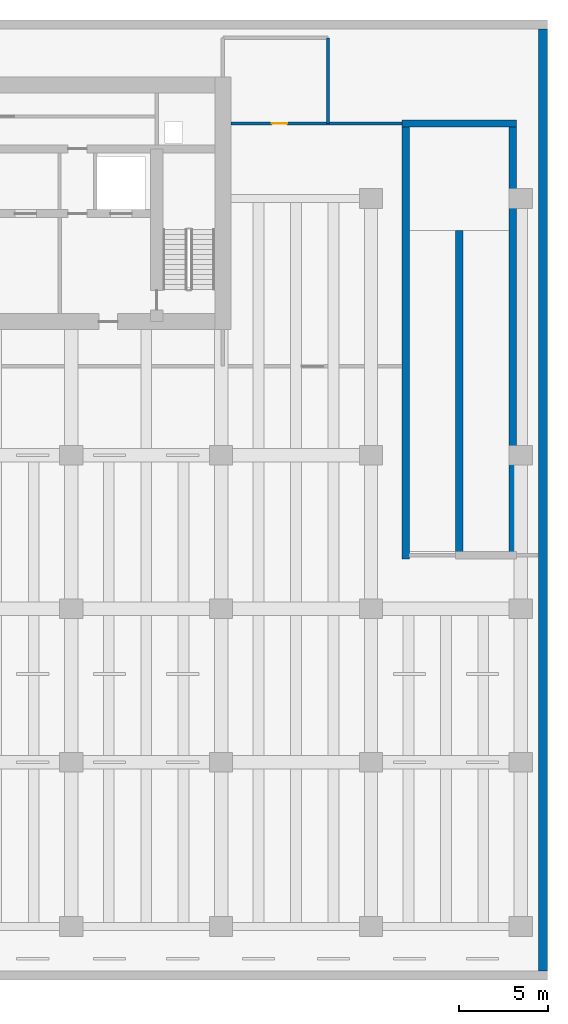
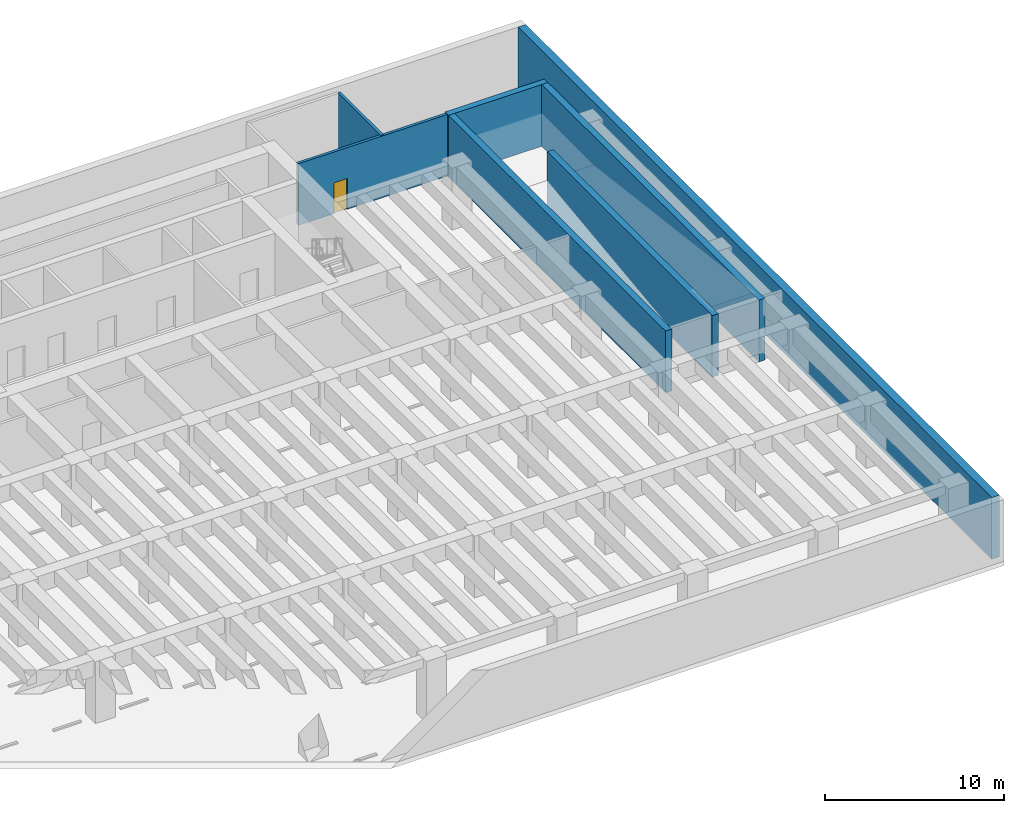
# One storey, part 5 of 8: 7 walls, 1 door, 1 opening.
"""IFC4 building model written with IfcOpenShell, lengths in metres."""

from ifc_helpers import new_model, si_unit, direction, frame, frame_2d, origin, place, context, subcontext, project, spatial, rectangle, extrude, material, layer, layer_set, type_object, element, fill, save


model = new_model("IFC4")

# Units and contexts
model_context = context("Model", 3, precision=1e-05, world=origin(), true_north=direction((0.0, 1.0)))
body_context = subcontext(model_context, "Body", "Model", "MODEL_VIEW")
ifc_project = project(units=[si_unit("LENGTHUNIT", "METRE"), si_unit("AREAUNIT", "SQUARE_METRE"), si_unit("VOLUMEUNIT", "CUBIC_METRE"), si_unit("PLANEANGLEUNIT", "RADIAN"), si_unit("MASSUNIT", "GRAM", prefix="KILO")], contexts=[model_context])

# Site, building, storey
site_placement = place(None, origin())
site = spatial("IfcSite", under=ifc_project, at=site_placement, CompositionType="ELEMENT")
building_placement = place(site_placement, origin())
building = spatial("IfcBuilding", under=site, at=building_placement, Name="Caelmar Bay Residences", CompositionType="ELEMENT")
storey_placement = place(building_placement, frame((0.0, 0.0, -4.5)))
storey = spatial("IfcBuildingStorey", under=building, at=storey_placement, Name="B01", CompositionType="ELEMENT", Elevation=-4.5)

# Walls
ifc_material_1 = material(Name="Concrete f'c 40 MPa (6,000 psi)", Category="concrete")
ifc_layer_1 = layer(ifc_material_1, 0.5)
ifc_layer_set_1 = layer_set([ifc_layer_1], Name="Concrete f'c 40 MPa (6,000 psi)")
wall_type_1 = type_object("IfcWallType", Name="SW-BSM-500", PredefinedType="SOLIDWALL", material=ifc_layer_set_1)
wall_1_placement = place(storey_placement, frame((77.550048828125, 53.300048828125, 0.0), z_axis=(0.0, 0.0, 1.0), x_axis=(0.0, -1.0, 0.0)))
element("IfcWall", 1, at=wall_1_placement, inside=storey, type_object=wall_type_1, Name="B01 Perimeter Concrete Retaining Wall E", PredefinedType="SOLIDWALL", context=body_context, shape_type="SweptSolid", body=[
    extrude(rectangle(XDim=52.800048828125, YDim=0.5, at=frame_2d((26.39990234375, 0.0))), origin(), (0.0, 0.0, 1.0), 4.199951171875),
])
ifc_layer_2 = layer(ifc_material_1, 0.39990234375)
ifc_layer_set_2 = layer_set([ifc_layer_2], Name="Concrete f'c 40 MPa (6,000 psi)")
wall_type_2 = type_object("IfcWallType", Name="SW-RMP-400", PredefinedType="SHEAR", material=ifc_layer_set_2)
wall_2_placement = place(storey_placement, frame((69.64990234375, 48.0, 0.0), z_axis=(0.0, 0.0, 1.0), x_axis=(1.0, 0.0, 0.0)))
element("IfcWall", 2, at=wall_2_placement, inside=storey, type_object=wall_type_2, Name="Car park vehicle ramp B01 to L00 Structural Enclosure Wall N", PredefinedType="SHEAR", context=body_context, shape_type="SweptSolid", body=[
    extrude(rectangle(XDim=6.400146484375, YDim=0.39990234375, at=frame_2d((3.2001953125, 0.0))), origin(), (0.0, 0.0, 1.0), 4.199951171875),
])
for number, where, z_axis, x_axis, name in (
    (3, (69.85009765625, 23.60009765625, 0.0), (0.0, 0.0, 1.0), (0.0, 1.0, 0.0), "Car park vehicle ramp B01 to L00 Structural Enclosure Wall W"),
    (4, (75.85009765625, 23.60009765625, 0.0), (0.0, 0.0, 1.0), (0.0, 1.0, 0.0), "Car park vehicle ramp B01 to L00 Structural Enclosure Wall E"),
):
    element("IfcWall", number, at=place(storey_placement, frame(where, z_axis=z_axis, x_axis=x_axis)), inside=storey, type_object=wall_type_2, Name=name, PredefinedType="SHEAR", context=body_context, shape_type="SweptSolid", body=[
        extrude(rectangle(XDim=24.199951171875, YDim=0.39990234375, at=frame_2d((12.10009765625, 0.0))), origin(), (0.0, 0.0, 1.0), 4.199951171875),
    ])
wall_3_placement = place(storey_placement, frame((72.85009765625, 23.60009765625, 0.0), z_axis=(0.0, 0.0, 1.0), x_axis=(0.0, 1.0, 0.0)))
element("IfcWall", 5, at=wall_3_placement, inside=storey, type_object=wall_type_2, Name="Car park vehicle ramp B01 to L00 Structural Enclosure Wall M", PredefinedType="SHEAR", context=body_context, shape_type="SweptSolid", body=[
    extrude(rectangle(XDim=18.39990234375, YDim=0.39990234375, at=frame_2d((9.199951171875, 0.0))), origin(), (0.0, 0.0, 1.0), 4.199951171875),
])
ifc_material_2 = material(Name="Double-stud acoustic fire-rated gypsum partition 180 mm")
ifc_layer_3 = layer(ifc_material_2, 0.179931640625)
ifc_layer_set_3 = layer_set([ifc_layer_3], Name="Double-stud acoustic fire-rated gypsum partition 180 mm")
wall_type_3 = type_object("IfcWallType", Name="W-COR-200", PredefinedType="PARTITIONING", material=ifc_layer_set_3)
wall_4_placement = place(storey_placement, frame((65.5, 48.0, 0.0), z_axis=(0.0, 0.0, 1.0), x_axis=(0.0, 1.0, 0.0)))
element("IfcWall", 6, at=wall_4_placement, inside=storey, type_object=wall_type_3, Name="B01 Partition Wall V019", PredefinedType="PARTITIONING", context=body_context, shape_type="SweptSolid", body=[
    extrude(rectangle(XDim=4.800048828125, YDim=0.179931640625, at=frame_2d((2.39990234375, 0.0))), origin(), (0.0, 0.0, 1.0), 4.199951171875),
])

# Wall, opening, door
wall_5_placement = place(storey_placement, frame((60.044921875, 48.0, 0.0), z_axis=(0.0, 0.0, 1.0), x_axis=(1.0, 0.0, 0.0)))
wall_5 = element("IfcWall", 7, at=wall_5_placement, inside=storey, type_object=wall_type_3, Name="B01 Partition Wall H025", PredefinedType="PARTITIONING", context=body_context, shape_type="SweptSolid", body=[
    extrude(rectangle(XDim=9.60009765625, YDim=0.179931640625, at=frame_2d((4.800048828125, 0.0))), origin(), (0.0, 0.0, 1.0), 4.199951171875),
])
opening_placement = place(wall_5_placement, frame((2.302490234375, 0.0, 0.0)))
opening = element("IfcOpeningElement", 8, at=opening_placement, cuts=wall_5, Name="Opening D-B01-125", PredefinedType="OPENING", context=body_context, shape_type="SweptSolid", body=[
    extrude(rectangle(XDim=0.85009765625, YDim=2.10009765625, at=frame_2d((0.425048828125, 1.050048828125))), frame((0.0, 0.099853515625, 0.0), z_axis=(0.0, -1.0, 0.0), x_axis=(1.0, 0.0, 0.0)), (0.0, 0.0, 1.0), 0.199951171875),
])
ifc_material_3 = material(Name="Solid walnut timber interior door leaf and frame", Category="wood")
ifc_layer_4 = layer(ifc_material_3, 0.050048828125)
ifc_layer_set_4 = layer_set([ifc_layer_4], Name="Solid walnut timber interior door leaf and frame")
door_type = type_object("IfcDoorType", Name="D-BATH-850", OperationType="NOTDEFINED", PredefinedType="DOOR", material=ifc_layer_set_4)
door_placement = place(opening_placement, origin())
door = element("IfcDoor", 9, at=door_placement, inside=storey, type_object=door_type, Name="B01 Accessible Garage WC Door", OperationType="SINGLE_SWING_RIGHT", OverallHeight=2.10009765625, OverallWidth=0.85009765625, PredefinedType="DOOR", context=body_context, shape_type="SweptSolid", body=[
    extrude(rectangle(XDim=0.85009765625, YDim=2.10009765625, at=frame_2d((0.425048828125, 1.050048828125))), frame((0.0, 0.02490234375, 0.0), z_axis=(0.0, -1.0, 0.0), x_axis=(1.0, 0.0, 0.0)), (0.0, 0.0, 1.0), 0.050048828125),
])
fill(opening, door)

save(model, "model.ifc")
